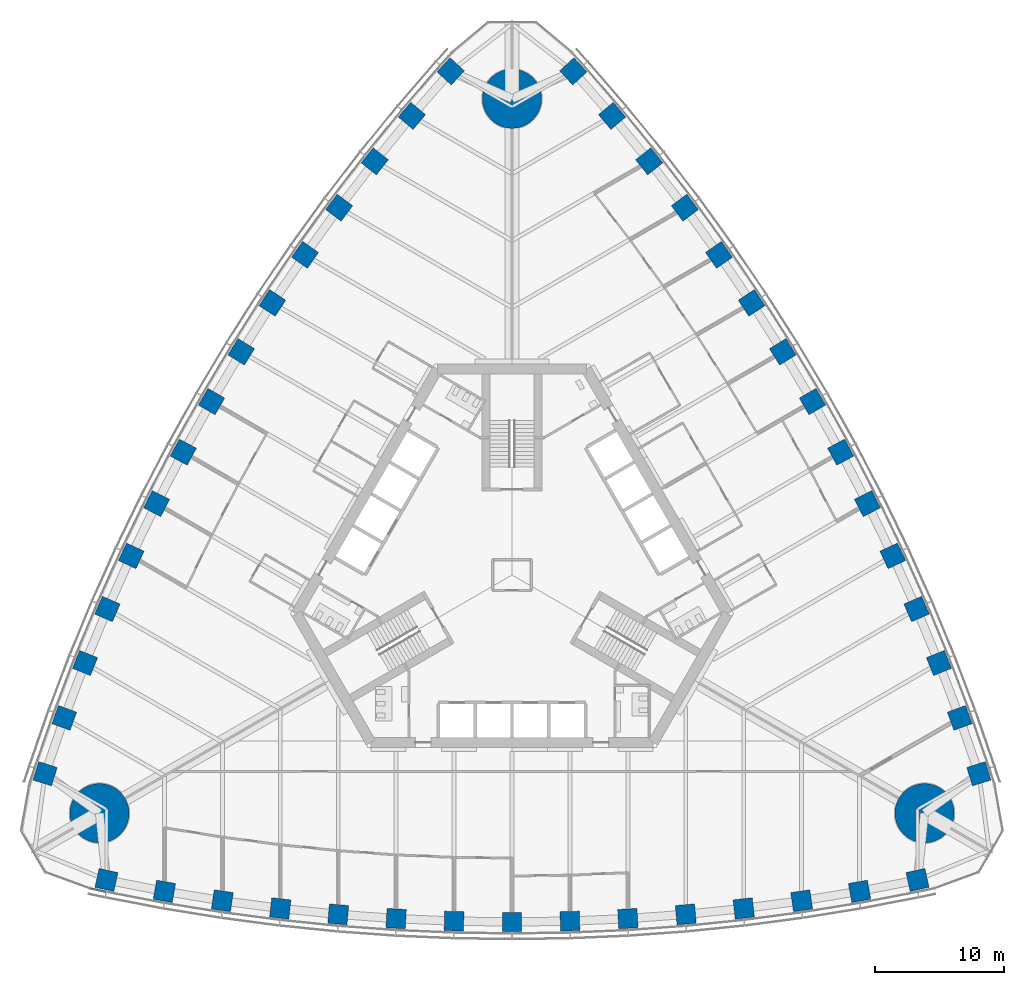
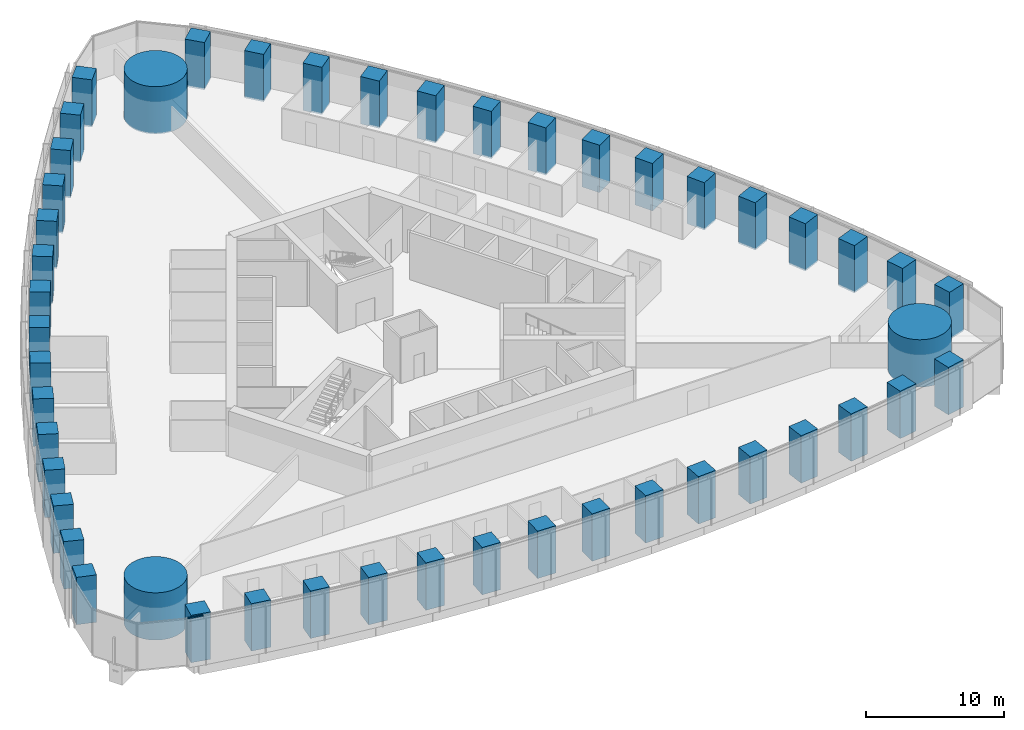
# One storey, part 1 of 18: 48 columns, 1 member, 1 element without a shape of its own.
"""IFC4 building model written with IfcOpenShell, lengths in metres."""

from ifc_helpers import new_model, si_unit, direction, frame, origin, origin_2d, place, context, subcontext, project, spatial, rectangle, circle, extrude, material, material_profile, profile_set, type_object, element, aggregate, save


model = new_model("IFC4")

# Units and contexts
model_context = context("Model", 3, precision=1e-05, world=origin(), true_north=direction((0.0, 1.0)))
body_context = subcontext(model_context, "Body", "Model", "MODEL_VIEW")
ifc_project = project(units=[si_unit("LENGTHUNIT", "METRE"), si_unit("AREAUNIT", "SQUARE_METRE"), si_unit("VOLUMEUNIT", "CUBIC_METRE"), si_unit("PLANEANGLEUNIT", "RADIAN"), si_unit("MASSUNIT", "GRAM", prefix="KILO")], contexts=[model_context])

# Site, building, storey
site_placement = place(None, origin())
site = spatial("IfcSite", under=ifc_project, at=site_placement, CompositionType="ELEMENT")
building_placement = place(site_placement, origin())
building = spatial("IfcBuilding", under=site, at=building_placement, Name="Trefoil Bronze Tower", CompositionType="ELEMENT")
storey_placement = place(building_placement, frame((0.0, 0.0, 33.300048828125)))
storey = spatial("IfcBuildingStorey", under=building, at=storey_placement, Name="L07", CompositionType="ELEMENT", Elevation=33.300048828125)

# Columns
ifc_material_1 = material(Name="Concrete B80", Category="concrete")
ifc_material_profile_1 = material_profile(ifc_material_1, circle(Radius=2.300048828125, at=origin_2d()), Name="RC D4600")
ifc_profile_set_1 = profile_set([ifc_material_profile_1], Name="Concrete B80")
column_type_1 = type_object("IfcColumnType", Name="Mega column RC D4600", PredefinedType="COLUMN", material=ifc_profile_set_1)
for number, where, z_axis, x_axis, name in (
    (1, (32.04296875, -18.5, 0.0), (0.0, 0.0, 1.0), (1.0, 0.0, 0.0), "Mega column K1 L07"),
    (2, (0.0, 37.0, 0.0), (0.0, 0.0, 1.0), (1.0, 0.0, 0.0), "Mega column K2 L07"),
    (3, (-32.04296875, -18.5, 0.0), (0.0, 0.0, 1.0), (1.0, 0.0, 0.0), "Mega column K3 L07"),
):
    element("IfcColumn", number, at=place(storey_placement, frame(where, z_axis=z_axis, x_axis=x_axis)), inside=storey, type_object=column_type_1, Name=name, PredefinedType="COLUMN", context=body_context, shape_type="SweptSolid", body=[
        extrude(circle(Radius=2.300048828125, at=origin_2d()), origin(), (0.0, 0.0, 1.0), 4.199951171875),
    ])
ifc_material_2 = material(Name="Concrete B80", Category="concrete")
ifc_material_profile_2 = material_profile(ifc_material_2, rectangle(XDim=1.5, YDim=1.5, at=origin_2d()), Name="RC 1500x1500")
ifc_profile_set_2 = profile_set([ifc_material_profile_2], Name="Concrete B80")
column_type_2 = type_object("IfcColumnType", Name="Tube column RC 1500x1500", PredefinedType="COLUMN", material=ifc_profile_set_2)
for number, where, z_axis, x_axis, name in (
    (4, (-31.5, -23.684814453125, 0.0), (0.0, 0.0, 1.0), (0.976229647342, -0.216738726697, 0.0), "Tube column F1/-7 L07"),
    (5, (-27.0, -24.56787109375, 0.0), (0.0, 0.0, 1.0), (0.984722470468, -0.174131146426, 0.0), "Tube column F1/-6 L07"),
    (6, (-22.5, -25.29931640625, 0.0), (0.0, 0.0, 1.0), (0.989415676546, -0.145108990094, 0.0), "Tube column F1/-5 L07"),
    (7, (-18.0, -25.895263671875, 0.0), (0.0, 0.0, 1.0), (0.993239048989, -0.116086999973, 0.0), "Tube column F1/-4 L07"),
    (8, (-13.5, -26.35693359375, 0.0), (0.0, 0.0, 1.0), (0.996202620701, -0.087065139456, 0.0), "Tube column F1/-3 L07"),
    (9, (-9.0, -26.68603515625, 0.0), (0.0, 0.0, 1.0), (0.998314062162, -0.058043374207, 0.0), "Tube column F1/-2 L07"),
    (10, (-4.5, -26.883056640625, 0.0), (0.0, 0.0, 1.0), (0.999578782577, -0.029021671584, 0.0), "Tube column F1/-1 L07"),
    (11, (0.0, -26.94873046875, 0.0), (0.0, 0.0, 1.0), (1.0, 0.0, 0.0), "Tube column F1/+0 L07"),
    (12, (4.5, -26.883056640625, 0.0), (0.0, 0.0, 1.0), (0.999578782577, 0.029021671584, 0.0), "Tube column F1/+1 L07"),
    (13, (9.0, -26.68603515625, 0.0), (0.0, 0.0, 1.0), (0.998314062162, 0.058043374207, 0.0), "Tube column F1/+2 L07"),
    (14, (13.5, -26.35693359375, 0.0), (0.0, 0.0, 1.0), (0.996202620701, 0.087065139456, 0.0), "Tube column F1/+3 L07"),
    (15, (18.0, -25.895263671875, 0.0), (0.0, 0.0, 1.0), (0.993239048989, 0.116086999973, 0.0), "Tube column F1/+4 L07"),
    (16, (22.5, -25.29931640625, 0.0), (0.0, 0.0, 1.0), (0.989415676546, 0.145108990094, 0.0), "Tube column F1/+5 L07"),
    (17, (27.0, -24.56787109375, 0.0), (0.0, 0.0, 1.0), (0.984722470468, 0.174131146426, 0.0), "Tube column F1/+6 L07"),
    (18, (31.5, -23.684814453125, 0.0), (0.0, 0.0, 1.0), (0.976229647342, 0.216738726697, 0.0), "Tube column F1/+7 L07"),
    (19, (36.26171875, -15.4375, 0.0), (0.0, 0.0, 1.0), (-0.300413580368, 0.953809037874, 0.0), "Tube column F2/-7 L07"),
    (20, (34.7763671875, -11.0986328125, 0.0), (0.0, 0.0, 1.0), (-0.341559238839, 0.939860248316, 0.0), "Tube column F2/-6 L07"),
    (21, (33.159912109375, -6.8359375, 0.0), (0.0, 0.0, 1.0), (-0.369039766534, 0.929413605838, 0.0), "Tube column F2/-5 L07"),
    (22, (31.42578125, -2.640869140625, 0.0), (0.0, 0.0, 1.0), (-0.396085233469, 0.918213748442, 0.0), "Tube column F2/-4 L07"),
    (23, (29.575927734375, 1.487060546875, 0.0), (0.0, 0.0, 1.0), (-0.422700687798, 0.906269346572, 0.0), "Tube column F2/-3 L07"),
    (24, (27.61083984375, 5.548828125, 0.0), (0.0, 0.0, 1.0), (-0.448889994497, 0.893587025891, 0.0), "Tube column F2/-2 L07"),
    (25, (25.531494140625, 9.54443359375, 0.0), (0.0, 0.0, 1.0), (-0.474655886437, 0.880171454588, 0.0), "Tube column F2/-1 L07"),
    (26, (23.33837890625, 13.474365234375, 0.0), (0.0, 0.0, 1.0), (-0.5, 0.866025403784, 0.0), "Tube column F2/+0 L07"),
    (27, (21.031494140625, 17.338623046875, 0.0), (0.0, 0.0, 1.0), (-0.524922896141, 0.851149783004, 0.0), "Tube column F2/+1 L07"),
    (28, (18.61083984375, 21.13720703125, 0.0), (0.0, 0.0, 1.0), (-0.549424067665, 0.835543651684, 0.0), "Tube column F2/+2 L07"),
    (29, (16.075927734375, 24.869873046875, 0.0), (0.0, 0.0, 1.0), (-0.573501932903, 0.819204207116, 0.0), "Tube column F2/+3 L07"),
    (30, (13.42578125, 28.5361328125, 0.0), (0.0, 0.0, 1.0), (-0.59715381552, 0.802126748469, 0.0), "Tube column F2/+4 L07"),
    (31, (10.659912109375, 32.13525390625, 0.0), (0.0, 0.0, 1.0), (-0.620375910011, 0.784304615744, 0.0), "Tube column F2/+5 L07"),
    (32, (7.7763671875, 35.666748046875, 0.0), (0.0, 0.0, 1.0), (-0.643163231629, 0.765729101889, 0.0), "Tube column F2/+6 L07"),
    (33, (4.76171875, 39.122314453125, 0.0), (0.0, 0.0, 1.0), (-0.675816066975, 0.737070311177, 0.0), "Tube column F2/+7 L07"),
    (34, (-4.76171875, 39.122314453125, 0.0), (0.0, 0.0, 1.0), (-0.675816066975, -0.737070311177, 0.0), "Tube column F3/-7 L07"),
    (35, (-7.7763671875, 35.666748046875, 0.0), (0.0, 0.0, 1.0), (-0.643163231629, -0.765729101889, 0.0), "Tube column F3/-6 L07"),
    (36, (-10.659912109375, 32.13525390625, 0.0), (0.0, 0.0, 1.0), (-0.620375910011, -0.784304615744, 0.0), "Tube column F3/-5 L07"),
    (37, (-13.42578125, 28.5361328125, 0.0), (0.0, 0.0, 1.0), (-0.59715381552, -0.802126748469, 0.0), "Tube column F3/-4 L07"),
    (38, (-16.075927734375, 24.869873046875, 0.0), (0.0, 0.0, 1.0), (-0.573501932903, -0.819204207116, 0.0), "Tube column F3/-3 L07"),
    (39, (-18.61083984375, 21.13720703125, 0.0), (0.0, 0.0, 1.0), (-0.549424067665, -0.835543651684, 0.0), "Tube column F3/-2 L07"),
    (40, (-21.031494140625, 17.338623046875, 0.0), (0.0, 0.0, 1.0), (-0.524922896141, -0.851149783004, 0.0), "Tube column F3/-1 L07"),
    (41, (-23.33837890625, 13.474365234375, 0.0), (0.0, 0.0, 1.0), (-0.5, -0.866025403784, 0.0), "Tube column F3/+0 L07"),
    (42, (-25.531494140625, 9.54443359375, 0.0), (0.0, 0.0, 1.0), (-0.474655886437, -0.880171454588, 0.0), "Tube column F3/+1 L07"),
    (43, (-27.61083984375, 5.548828125, 0.0), (0.0, 0.0, 1.0), (-0.448889994497, -0.893587025891, 0.0), "Tube column F3/+2 L07"),
    (44, (-29.575927734375, 1.487060546875, 0.0), (0.0, 0.0, 1.0), (-0.422700687798, -0.906269346572, 0.0), "Tube column F3/+3 L07"),
    (45, (-31.42578125, -2.640869140625, 0.0), (0.0, 0.0, 1.0), (-0.396085233469, -0.918213748442, 0.0), "Tube column F3/+4 L07"),
    (46, (-33.159912109375, -6.8359375, 0.0), (0.0, 0.0, 1.0), (-0.369039766534, -0.929413605838, 0.0), "Tube column F3/+5 L07"),
    (47, (-34.7763671875, -11.0986328125, 0.0), (0.0, 0.0, 1.0), (-0.341559238839, -0.939860248316, 0.0), "Tube column F3/+6 L07"),
    (48, (-36.26171875, -15.4375, 0.0), (0.0, 0.0, 1.0), (-0.300413580368, -0.953809037874, 0.0), "Tube column F3/+7 L07"),
):
    element("IfcColumn", number, at=place(storey_placement, frame(where, z_axis=z_axis, x_axis=x_axis)), inside=storey, type_object=column_type_2, Name=name, PredefinedType="COLUMN", context=body_context, shape_type="SweptSolid", body=[
        extrude(rectangle(XDim=1.5, YDim=1.5, at=origin_2d()), origin(), (0.0, 0.0, 1.0), 4.199951171875),
    ])

# Curtain wall, member
ifc_material_3 = material(Name="Tinted solar-control glass", Category="glass")
curtain_wall_type = type_object("IfcCurtainWallType", Name="Bronze office curtain wall", PredefinedType="USERDEFINED", material=ifc_material_3)
curtain_wall_placement = place(storey_placement, origin())
curtain_wall = element("IfcCurtainWall", 49, at=curtain_wall_placement, inside=storey, type_object=curtain_wall_type, Name="CW-A L07 F1", ObjectType="CURTAIN WALL", PredefinedType="USERDEFINED")
ifc_material_4 = material(Name="Bronze-finish aluminium", Category="aluminium")
ifc_material_profile_3 = material_profile(ifc_material_4, rectangle(XDim=0.1201171875, YDim=0.10009765625, at=origin_2d()), Name="CW-A transom")
ifc_profile_set_3 = profile_set([ifc_material_profile_3], Name="Bronze-finish aluminium")
member_type = type_object("IfcMemberType", Name="Bronze office curtain wall transom", PredefinedType="USERDEFINED", material=ifc_profile_set_3)
member_placement = place(storey_placement, frame((-32.743896484375, -24.354736328125, 4.1298828125), z_axis=(0.978266371807, -0.207352129942, 0.0), x_axis=(0.207352129942, 0.978266371807, 0.0)))
member = element("IfcMember", 50, at=member_placement, type_object=member_type, Name="CW-A L07 F1 transom 1", ObjectType="TRANSOM", PredefinedType="USERDEFINED", context=body_context, shape_type="SweptSolid", body=[
    extrude(rectangle(XDim=0.1201171875, YDim=0.10009765625, at=origin_2d()), origin(), (0.0, 0.0, 1.0), 1.21044921875),
])
aggregate(curtain_wall, [member])

save(model, "model.ifc")
